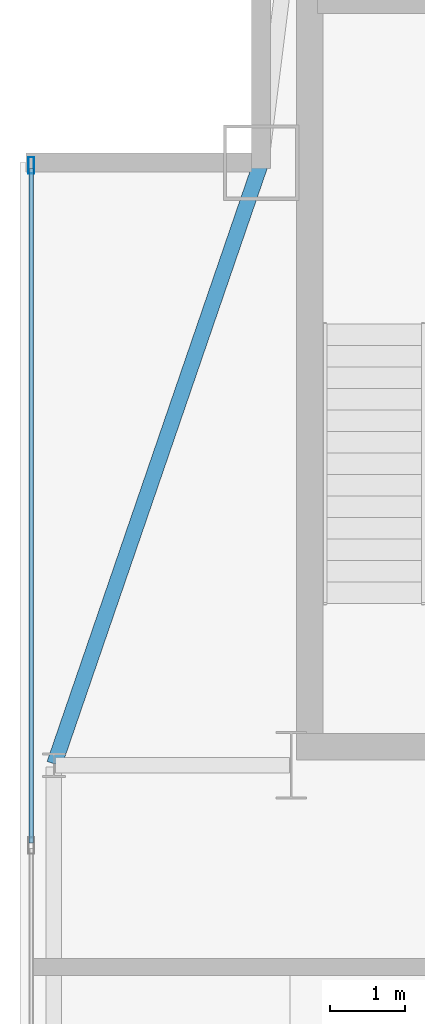
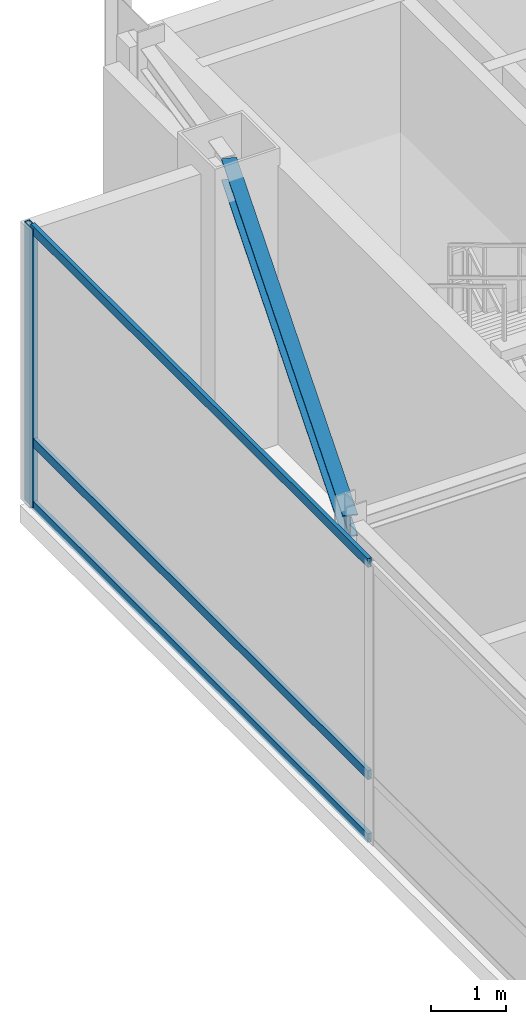
# One storey, part 11 of 21: 4 members, 1 beam, 1 element without a shape of its own.
"""IFC4 building model written with IfcOpenShell, lengths in metres."""

from ifc_helpers import new_model, si_unit, direction, frame, origin, origin_2d, place, context, subcontext, project, spatial, hollow_rectangle, i_section, extrude, source, transform, mapped, material, layer, layer_set, material_profile, profile_set, type_object, type_shapes, element, aggregate, save


model = new_model("IFC4")

# Units and contexts
model_context = context("Model", 3, precision=1e-05, world=origin(), true_north=direction((0.0, 1.0)))
body_context = subcontext(model_context, "Body", "Model", "MODEL_VIEW")
ifc_project = project(units=[si_unit("LENGTHUNIT", "METRE"), si_unit("AREAUNIT", "SQUARE_METRE"), si_unit("VOLUMEUNIT", "CUBIC_METRE"), si_unit("PLANEANGLEUNIT", "RADIAN"), si_unit("MASSUNIT", "GRAM", prefix="KILO")], contexts=[model_context])

# Site, building, storey
site_placement = place(None, origin())
site = spatial("IfcSite", under=ifc_project, at=site_placement, CompositionType="ELEMENT")
building_placement = place(site_placement, origin())
building = spatial("IfcBuilding", under=site, at=building_placement, Name="Varnel Quay Broadcast Tower", CompositionType="ELEMENT")
storey_placement = place(building_placement, frame((0.0, 0.0, 300.199951171875)))
storey = spatial("IfcBuildingStorey", under=building, at=storey_placement, Name="L75", CompositionType="ELEMENT", Elevation=300.199951171875)

# Beam
ifc_material_1 = material(Name="Structural Steel CSA G40.21 350W", Category="steel")
ifc_material_profile_1 = material_profile(ifc_material_1, i_section(OverallWidth=0.205078125, OverallDepth=0.35400390625, WebThickness=0.009521484375, FlangeThickness=0.016845703125, FilletRadius=0.012939453125, at=origin_2d()), Name="W360X79")
ifc_profile_set_1 = profile_set([ifc_material_profile_1], Name="Structural Steel CSA G40.21 350W")
beam_type = type_object("IfcBeamType", Name="Beam_W360X79", PredefinedType="SPANDREL", material=ifc_profile_set_1)
shared_shape_1 = source(origin(), body_context, "Body", "SweptSolid", [
    extrude(i_section(OverallWidth=0.205078125, OverallDepth=0.35400390625, WebThickness=0.009521484375, FlangeThickness=0.016845703125, FilletRadius=0.012939453125, at=origin_2d()), origin(), (0.0, 0.0, 1.0), 8.41943359375),
])
type_shapes(beam_type, [shared_shape_1])
beam_placement = place(storey_placement, frame((12.45654296875, 35.618896484375, 4.343017578125), z_axis=(0.325087062108, 0.945684092099, 0.0), x_axis=(-0.945684092099, 0.325087062108, 0.0)))
element("IfcBeam", 1, at=beam_placement, inside=storey, type_object=beam_type, Name="L75 West Spandrel TC-W2-MC-NW", PredefinedType="SPANDREL", context=body_context, shape_type="MappedRepresentation", body=[
    mapped(shared_shape_1, transform((0.0, 0.0, 0.0), x_axis=(1.0, 0.0, 0.0), y_axis=(0.0, 1.0, 0.0), z_axis=(0.0, 0.0, 1.0), scale=1.0)),
])

# Curtain wall, members
ifc_material_2 = material(Name="Anodised Bronze Aluminium 6063-T6", Category="aluminium")
ifc_layer = layer(ifc_material_2, 0.18994140625, Name="Anodised Bronze Aluminium 6063-T6")
ifc_layer_set = layer_set([ifc_layer], Name="Anodised Bronze Aluminium 6063-T6")
curtain_wall_type = type_object("IfcCurtainWallType", Name="CW_SkyObsHighVis", PredefinedType="NOTDEFINED", material=ifc_layer_set)
curtain_wall_placement = place(storey_placement, origin())
curtain_wall = element("IfcCurtainWall", 2, at=curtain_wall_placement, inside=storey, type_object=curtain_wall_type, Name="L75 West Unitised Curtain Wall", PredefinedType="NOTDEFINED")
ifc_material_profile_2 = material_profile(ifc_material_2, hollow_rectangle(XDim=0.074951171875, YDim=0.219970703125, WallThickness=0.00390625, at=origin_2d()), Name="ALU75X220X4")
ifc_profile_set_2 = profile_set([ifc_material_profile_2], Name="Anodised Bronze Aluminium 6063-T6")
member_type_1 = type_object("IfcMemberType", Name="Mull_CWS-05", PredefinedType="MULLION", material=ifc_profile_set_2)
shared_shape_2 = source(origin(), body_context, "Body", "SweptSolid", [
    extrude(hollow_rectangle(XDim=0.074951171875, YDim=0.219970703125, WallThickness=0.00390625, at=origin_2d()), origin(), (0.0, 0.0, 1.0), 4.52001953125),
])
type_shapes(member_type_1, [shared_shape_2])
member_1_placement = place(storey_placement, frame((12.14990234375, 43.5625, 0.0), z_axis=(0.0, 0.0, 1.0), x_axis=(-1.0, 0.0, 0.0)))
member_1 = element("IfcMember", 3, at=member_1_placement, type_object=member_type_1, Name="CWS-05 mullion 4", PredefinedType="MULLION", context=body_context, shape_type="MappedRepresentation", body=[
    mapped(shared_shape_2, transform((0.0, 0.0, 0.0), x_axis=(1.0, 0.0, 0.0), y_axis=(0.0, 1.0, 0.0), z_axis=(0.0, 0.0, 1.0), scale=1.0)),
])
ifc_material_profile_3 = material_profile(ifc_material_2, hollow_rectangle(XDim=0.06005859375, YDim=0.14501953125, WallThickness=0.00341796875, at=origin_2d()), Name="ALU60X145X3.5")
ifc_profile_set_3 = profile_set([ifc_material_profile_3], Name="Anodised Bronze Aluminium 6063-T6")
member_type_2 = type_object("IfcMemberType", Name="Tran_CWS-05", PredefinedType="USERDEFINED", material=ifc_profile_set_3)
shared_shape_3 = source(origin(), body_context, "Body", "SweptSolid", [
    extrude(hollow_rectangle(XDim=0.06005859375, YDim=0.14501953125, WallThickness=0.00341796875, at=origin_2d()), origin(), (0.0, 0.0, 1.0), 8.9541015625),
])
type_shapes(member_type_2, [shared_shape_3])
member_2_placement = place(storey_placement, frame((12.14990234375, 34.57080078125, 0.030029296875), z_axis=(0.0, 1.0, 0.0), x_axis=(-1.0, 0.0, 0.0)))
member_2 = element("IfcMember", 4, at=member_2_placement, type_object=member_type_2, Name="CWS-05 transom 3.1", ObjectType="TRANSOM", PredefinedType="USERDEFINED", context=body_context, shape_type="MappedRepresentation", body=[
    mapped(shared_shape_3, transform((0.0, 0.0, 0.0), x_axis=(1.0, 0.0, 0.0), y_axis=(0.0, 1.0, 0.0), z_axis=(0.0, 0.0, 1.0), scale=1.0)),
])
member_3_placement = place(storey_placement, frame((12.14990234375, 34.57080078125, 1.050048828125), z_axis=(0.0, 1.0, 0.0), x_axis=(-1.0, 0.0, 0.0)))
member_3 = element("IfcMember", 5, at=member_3_placement, type_object=member_type_2, Name="CWS-05 transom 3.2", ObjectType="TRANSOM", PredefinedType="USERDEFINED", context=body_context, shape_type="MappedRepresentation", body=[
    mapped(shared_shape_3, transform((0.0, 0.0, 0.0), x_axis=(1.0, 0.0, 0.0), y_axis=(0.0, 1.0, 0.0), z_axis=(0.0, 0.0, 1.0), scale=1.0)),
])
member_4_placement = place(storey_placement, frame((12.14990234375, 34.57080078125, 4.489990234375), z_axis=(0.0, 1.0, 0.0), x_axis=(-1.0, 0.0, 0.0)))
member_4 = element("IfcMember", 6, at=member_4_placement, type_object=member_type_2, Name="CWS-05 transom 3.3", ObjectType="TRANSOM", PredefinedType="USERDEFINED", context=body_context, shape_type="MappedRepresentation", body=[
    mapped(shared_shape_3, transform((0.0, 0.0, 0.0), x_axis=(1.0, 0.0, 0.0), y_axis=(0.0, 1.0, 0.0), z_axis=(0.0, 0.0, 1.0), scale=1.0)),
])
aggregate(curtain_wall, [member_1, member_2, member_3, member_4])

save(model, "model.ifc")
